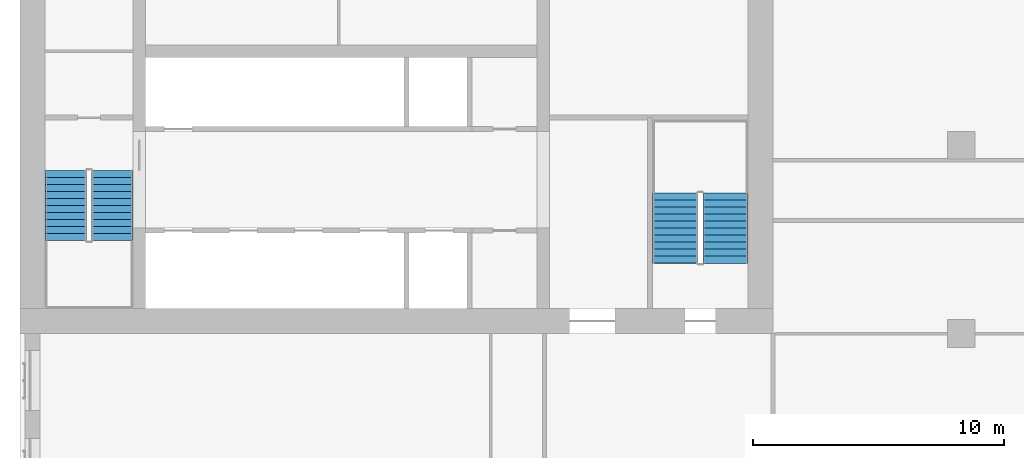
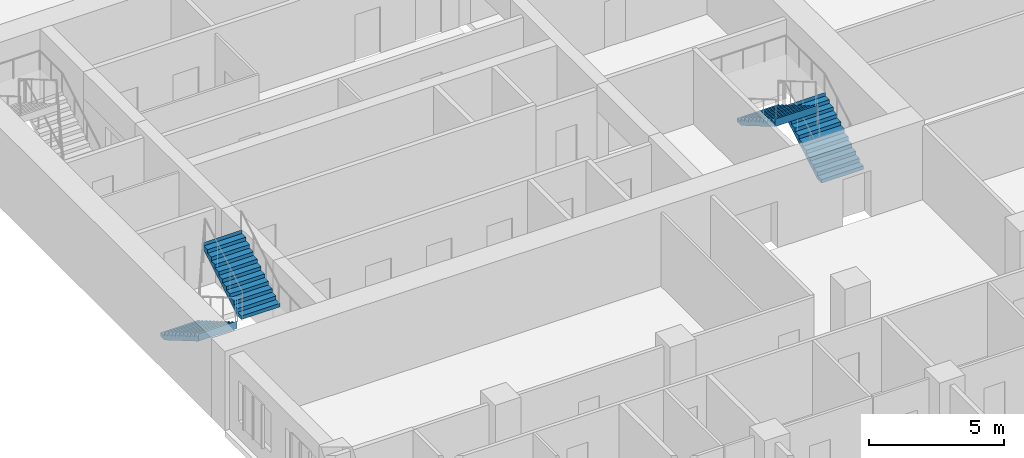
# One storey, part 12 of 14: 4 stair flights, 2 elements without a shape of their own.
"""IFC4 building model written with IfcOpenShell, lengths in metres."""

from ifc_helpers import new_model, si_unit, direction, frame, origin, place, context, subcontext, project, spatial, polyline, outline, extrude, material, type_object, element, aggregate, save


model = new_model("IFC4")

# Units and contexts
model_context = context("Model", 3, precision=1e-05, world=origin(), true_north=direction((0.0, 1.0)))
body_context = subcontext(model_context, "Body", "Model", "MODEL_VIEW")
ifc_project = project(units=[si_unit("LENGTHUNIT", "METRE"), si_unit("AREAUNIT", "SQUARE_METRE"), si_unit("VOLUMEUNIT", "CUBIC_METRE"), si_unit("PLANEANGLEUNIT", "RADIAN"), si_unit("MASSUNIT", "GRAM", prefix="KILO")], contexts=[model_context])

# Site, building, storey
site_placement = place(None, origin())
site = spatial("IfcSite", under=ifc_project, at=site_placement, CompositionType="ELEMENT")
building_placement = place(site_placement, origin())
building = spatial("IfcBuilding", under=site, at=building_placement, Name="Tamorin Gate", CompositionType="ELEMENT")
storey_placement = place(building_placement, frame((0.0, 0.0, 86.300048828125)))
storey = spatial("IfcBuildingStorey", under=building, at=storey_placement, Name="L20", CompositionType="ELEMENT", Elevation=86.300048828125)

# Stair, stair flights
ifc_material = material(Name="Concrete C40/50", Category="concrete")
stair_type = type_object("IfcStairType", Name="Exit stair", PredefinedType="HALF_TURN_STAIR", material=ifc_material)
stair_1_placement = place(storey_placement, origin())
stair_1 = element("IfcStair", 1, at=stair_1_placement, inside=storey, type_object=stair_type, Name="L20 stair ST1", PredefinedType="HALF_TURN_STAIR")
stair_flight_type = type_object("IfcStairFlightType", Name="Exit stair flight", PredefinedType="STRAIGHT", material=ifc_material)
stair_flight_1_placement = place(storey_placement, frame((31.824951171875, 66.5, 0.0), z_axis=(0.0, 0.0, 1.0), x_axis=(0.0, -1.0, 0.0)))
stair_flight_1 = element("IfcStairFlight", 2, at=stair_flight_1_placement, type_object=stair_flight_type, Name="ST1 flight 1", NumberOfRisers=11, NumberOfTreads=10, PredefinedType="STRAIGHT", RiserHeight=0.163636364, TreadLength=0.28, context=body_context, shape_type="SweptSolid", body=[
    extrude(outline(polyline([(-0.00048828125, 0.0), (-0.00048828125, 0.001708984375), (-0.00048828125, 0.003173828125), (-0.00048828125, 0.0048828125), (-0.00048828125, 0.006591796875), (-0.00048828125, 0.008056640625), (-0.00048828125, 0.009765625), (-0.00048828125, 0.01123046875), (-0.00048828125, 0.012939453125), (-0.00048828125, 0.0146484375), (-0.00048828125, 0.01611328125), (-0.00048828125, 0.017822265625), (-0.00048828125, 0.01953125), (-0.00048828125, 0.02099609375), (-0.00048828125, 0.022705078125), (-0.00048828125, 0.0244140625), (-0.00048828125, 0.02587890625), (-0.00048828125, 0.027587890625), (-0.00048828125, 0.029052734375), (-0.00048828125, 0.03076171875), (-0.00048828125, 0.032470703125), (-0.00048828125, 0.033935546875), (-0.00048828125, 0.03564453125), (-0.00048828125, 0.037353515625), (-0.00048828125, 0.038818359375), (-0.00048828125, 0.04052734375), (-0.00048828125, 0.042236328125), (-0.00048828125, 0.043701171875), (-0.00048828125, 0.04541015625), (-0.00048828125, 0.046875), (-0.00048828125, 0.048583984375), (-0.00048828125, 0.05029296875), (-0.00048828125, 0.0517578125), (-0.00048828125, 0.053466796875), (-0.00048828125, 0.05517578125), (-0.00048828125, 0.056640625), (-0.00048828125, 0.058349609375), (-0.00048828125, 0.06005859375), (-0.00048828125, 0.0615234375), (-0.00048828125, 0.063232421875), (-0.00048828125, 0.064697265625), (-0.00048828125, 0.06640625), (-0.00048828125, 0.068115234375), (-0.00048828125, 0.069580078125), (-0.00048828125, 0.0712890625), (-0.00048828125, 0.072998046875), (-0.00048828125, 0.074462890625), (-0.00048828125, 0.076171875), (-0.00048828125, 0.077880859375), (-0.00048828125, 0.079345703125), (-0.00048828125, 0.0810546875), (-0.00048828125, 0.08251953125), (-0.00048828125, 0.084228515625), (-0.00048828125, 0.0859375), (-0.00048828125, 0.08740234375), (-0.00048828125, 0.089111328125), (-0.00048828125, 0.0908203125), (-0.00048828125, 0.09228515625), (-0.00048828125, 0.093994140625), (-0.00048828125, 0.095703125), (-0.00048828125, 0.09716796875), (-0.00048828125, 0.098876953125), (-0.00048828125, 0.100341796875), (-0.00048828125, 0.10205078125), (-0.00048828125, 0.103759765625), (-0.00048828125, 0.105224609375), (-0.00048828125, 0.10693359375), (-0.00048828125, 0.108642578125), (-0.00048828125, 0.110107421875), (-0.00048828125, 0.11181640625), (-0.00048828125, 0.113525390625), (-0.00048828125, 0.114990234375), (-0.00048828125, 0.11669921875), (-0.00048828125, 0.1181640625), (-0.00048828125, 0.119873046875), (-0.00048828125, 0.12158203125), (-0.00048828125, 0.123046875), (-0.00048828125, 0.124755859375), (-0.00048828125, 0.12646484375), (-0.00048828125, 0.1279296875), (-0.00048828125, 0.129638671875), (-0.00048828125, 0.13134765625), (-0.00048828125, 0.1328125), (-0.00048828125, 0.134521484375), (-0.00048828125, 0.135986328125), (-0.00048828125, 0.1376953125), (-0.00048828125, 0.139404296875), (-0.00048828125, 0.140869140625), (-0.00048828125, 0.142578125), (-0.00048828125, 0.144287109375), (-0.00048828125, 0.145751953125), (-0.00048828125, 0.1474609375), (-0.00048828125, 0.149169921875), (-0.00048828125, 0.150634765625), (-0.00048828125, 0.15234375), (-0.00048828125, 0.15380859375), (-0.00048828125, 0.155517578125), (-0.00048828125, 0.1572265625), (-0.00048828125, 0.15869140625), (-0.00048828125, 0.160400390625), (-0.00048828125, 0.162109375), (-0.00048828125, 0.16357421875), (0.280029296875, 0.16357421875), (0.280029296875, 0.327392578125), (0.56005859375, 0.327392578125), (0.56005859375, 0.490966796875), (0.840087890625, 0.490966796875), (0.840087890625, 0.654541015625), (1.1201171875, 0.654541015625), (1.1201171875, 0.818115234375), (1.39990234375, 0.818115234375), (1.39990234375, 0.98193359375), (1.679931640625, 0.98193359375), (1.679931640625, 1.1455078125), (1.9599609375, 1.1455078125), (1.9599609375, 1.30908203125), (2.239990234375, 1.30908203125), (2.239990234375, 1.47265625), (2.52001953125, 1.47265625), (2.52001953125, 1.636474609375), (2.800048828125, 1.636474609375), (2.800048828125, 1.800048828125), (2.800537109375, 1.800048828125), (2.800537109375, 1.796630859375), (2.800537109375, 1.793212890625), (2.800537109375, 1.7900390625), (2.800537109375, 1.78662109375), (2.800537109375, 1.783203125), (2.800537109375, 1.780029296875), (2.800537109375, 1.776611328125), (2.800537109375, 1.773193359375), (2.800537109375, 1.77001953125), (2.800537109375, 1.7666015625), (2.800537109375, 1.76318359375), (2.800537109375, 1.760009765625), (2.800537109375, 1.756591796875), (2.800537109375, 1.753173828125), (2.800537109375, 1.75), (2.800537109375, 1.74658203125), (2.800537109375, 1.7431640625), (2.800537109375, 1.739990234375), (2.800537109375, 1.736572265625), (2.800537109375, 1.733154296875), (2.800537109375, 1.72998046875), (2.800537109375, 1.7265625), (2.800537109375, 1.72314453125), (2.800537109375, 1.719970703125), (2.800537109375, 1.716552734375), (2.800537109375, 1.713134765625), (2.800537109375, 1.7099609375), (2.800537109375, 1.70654296875), (2.800537109375, 1.703125), (2.800537109375, 1.69970703125), (2.800537109375, 1.696533203125), (2.800537109375, 1.693115234375), (2.800537109375, 1.689697265625), (2.800537109375, 1.6865234375), (2.800537109375, 1.68310546875), (2.800537109375, 1.6796875), (2.800537109375, 1.676513671875), (2.800537109375, 1.673095703125), (2.800537109375, 1.669677734375), (2.800537109375, 1.66650390625), (2.800537109375, 1.6630859375), (2.800537109375, 1.65966796875), (2.800537109375, 1.656494140625), (2.800537109375, 1.653076171875), (2.800537109375, 1.649658203125), (2.800537109375, 1.646484375), (2.800537109375, 1.64306640625), (2.800537109375, 1.6396484375), (2.800537109375, 1.636474609375), (2.800537109375, 1.633056640625), (2.800537109375, 1.629638671875), (2.800537109375, 1.62646484375), (2.800537109375, 1.623046875), (2.800537109375, 1.61962890625), (2.800537109375, 1.616455078125), (2.800537109375, 1.613037109375), (2.800537109375, 1.609619140625), (2.800537109375, 1.6064453125), (2.800537109375, 1.60302734375), (2.800537109375, 1.599609375), (2.800537109375, 1.59619140625), (2.800537109375, 1.593017578125), (2.800537109375, 1.589599609375), (2.800537109375, 1.586181640625), (2.800537109375, 1.5830078125), (2.800537109375, 1.57958984375), (2.800537109375, 1.576171875), (2.800537109375, 1.572998046875), (2.800537109375, 1.569580078125), (2.800537109375, 1.566162109375), (2.800537109375, 1.56298828125), (2.800537109375, 1.5595703125), (2.800537109375, 1.55615234375), (2.800537109375, 1.552978515625), (2.800537109375, 1.549560546875), (2.800537109375, 1.546142578125), (2.800537109375, 1.54296875), (2.800537109375, 1.53955078125), (2.800537109375, 1.5361328125), (2.800537109375, 1.532958984375), (2.800537109375, 1.529541015625), (2.800537109375, 1.526123046875), (2.800537109375, 1.52294921875), (2.800537109375, 1.51953125), (2.800537109375, 1.51611328125), (2.800537109375, 1.512939453125), (2.800537109375, 1.509521484375), (2.800537109375, 1.506103515625), (2.800537109375, 1.5029296875), (2.800537109375, 1.49951171875), (2.800537109375, 1.49609375), (2.800537109375, 1.49267578125), (2.800537109375, 1.489501953125), (2.800537109375, 1.486083984375), (2.800537109375, 1.482666015625), (2.800537109375, 1.4794921875), (2.800537109375, 1.47607421875), (2.800537109375, 1.47265625), (2.800537109375, 1.469482421875), (2.800537109375, 1.466064453125), (2.800537109375, 1.462646484375), (2.800048828125, 1.462646484375), (0.297119140625, 0.0), (-0.00048828125, 0.0)])), frame((0.0, 0.824951171875, 0.0), z_axis=(0.0, -1.0, 0.0), x_axis=(1.0, 0.0, 0.0)), (0.0, 0.0, 1.0), 1.64990234375),
])
stair_flight_2_placement = place(storey_placement, frame((33.675048828125, 63.699951171875, 1.800048828125), z_axis=(0.0, 0.0, 1.0), x_axis=(0.0, 1.0, 0.0)))
stair_flight_2 = element("IfcStairFlight", 3, at=stair_flight_2_placement, type_object=stair_flight_type, Name="ST1 flight 2", NumberOfRisers=11, NumberOfTreads=10, PredefinedType="STRAIGHT", RiserHeight=0.163636364, TreadLength=0.28, context=body_context, shape_type="SweptSolid", body=[
    extrude(outline(polyline([(-0.00048828125, 0.0), (-0.00048828125, 0.001708984375), (-0.00048828125, 0.003173828125), (-0.00048828125, 0.0048828125), (-0.00048828125, 0.006591796875), (-0.00048828125, 0.008056640625), (-0.00048828125, 0.009765625), (-0.00048828125, 0.01123046875), (-0.00048828125, 0.012939453125), (-0.00048828125, 0.0146484375), (-0.00048828125, 0.01611328125), (-0.00048828125, 0.017822265625), (-0.00048828125, 0.01953125), (-0.00048828125, 0.02099609375), (-0.00048828125, 0.022705078125), (-0.00048828125, 0.0244140625), (-0.00048828125, 0.02587890625), (-0.00048828125, 0.027587890625), (-0.00048828125, 0.029052734375), (-0.00048828125, 0.03076171875), (-0.00048828125, 0.032470703125), (-0.00048828125, 0.033935546875), (-0.00048828125, 0.03564453125), (-0.00048828125, 0.037353515625), (-0.00048828125, 0.038818359375), (-0.00048828125, 0.04052734375), (-0.00048828125, 0.042236328125), (-0.00048828125, 0.043701171875), (-0.00048828125, 0.04541015625), (-0.00048828125, 0.046875), (-0.00048828125, 0.048583984375), (-0.00048828125, 0.05029296875), (-0.00048828125, 0.0517578125), (-0.00048828125, 0.053466796875), (-0.00048828125, 0.05517578125), (-0.00048828125, 0.056640625), (-0.00048828125, 0.058349609375), (-0.00048828125, 0.06005859375), (-0.00048828125, 0.0615234375), (-0.00048828125, 0.063232421875), (-0.00048828125, 0.064697265625), (-0.00048828125, 0.06640625), (-0.00048828125, 0.068115234375), (-0.00048828125, 0.069580078125), (-0.00048828125, 0.0712890625), (-0.00048828125, 0.072998046875), (-0.00048828125, 0.074462890625), (-0.00048828125, 0.076171875), (-0.00048828125, 0.077880859375), (-0.00048828125, 0.079345703125), (-0.00048828125, 0.0810546875), (-0.00048828125, 0.08251953125), (-0.00048828125, 0.084228515625), (-0.00048828125, 0.0859375), (-0.00048828125, 0.08740234375), (-0.00048828125, 0.089111328125), (-0.00048828125, 0.0908203125), (-0.00048828125, 0.09228515625), (-0.00048828125, 0.093994140625), (-0.00048828125, 0.095703125), (-0.00048828125, 0.09716796875), (-0.00048828125, 0.098876953125), (-0.00048828125, 0.100341796875), (-0.00048828125, 0.10205078125), (-0.00048828125, 0.103759765625), (-0.00048828125, 0.105224609375), (-0.00048828125, 0.10693359375), (-0.00048828125, 0.108642578125), (-0.00048828125, 0.110107421875), (-0.00048828125, 0.11181640625), (-0.00048828125, 0.113525390625), (-0.00048828125, 0.114990234375), (-0.00048828125, 0.11669921875), (-0.00048828125, 0.1181640625), (-0.00048828125, 0.119873046875), (-0.00048828125, 0.12158203125), (-0.00048828125, 0.123046875), (-0.00048828125, 0.124755859375), (-0.00048828125, 0.12646484375), (-0.00048828125, 0.1279296875), (-0.00048828125, 0.129638671875), (-0.00048828125, 0.13134765625), (-0.00048828125, 0.1328125), (-0.00048828125, 0.134521484375), (-0.00048828125, 0.135986328125), (-0.00048828125, 0.1376953125), (-0.00048828125, 0.139404296875), (-0.00048828125, 0.140869140625), (-0.00048828125, 0.142578125), (-0.00048828125, 0.144287109375), (-0.00048828125, 0.145751953125), (-0.00048828125, 0.1474609375), (-0.00048828125, 0.149169921875), (-0.00048828125, 0.150634765625), (-0.00048828125, 0.15234375), (-0.00048828125, 0.15380859375), (-0.00048828125, 0.155517578125), (-0.00048828125, 0.1572265625), (-0.00048828125, 0.15869140625), (-0.00048828125, 0.160400390625), (-0.00048828125, 0.162109375), (-0.00048828125, 0.16357421875), (0.280029296875, 0.16357421875), (0.280029296875, 0.327392578125), (0.56005859375, 0.327392578125), (0.56005859375, 0.490966796875), (0.840087890625, 0.490966796875), (0.840087890625, 0.654541015625), (1.1201171875, 0.654541015625), (1.1201171875, 0.818115234375), (1.39990234375, 0.818115234375), (1.39990234375, 0.98193359375), (1.679931640625, 0.98193359375), (1.679931640625, 1.1455078125), (1.9599609375, 1.1455078125), (1.9599609375, 1.30908203125), (2.239990234375, 1.30908203125), (2.239990234375, 1.47265625), (2.52001953125, 1.47265625), (2.52001953125, 1.636474609375), (2.800048828125, 1.636474609375), (2.800048828125, 1.800048828125), (2.800537109375, 1.800048828125), (2.800537109375, 1.796630859375), (2.800537109375, 1.793212890625), (2.800537109375, 1.7900390625), (2.800537109375, 1.78662109375), (2.800537109375, 1.783203125), (2.800537109375, 1.780029296875), (2.800537109375, 1.776611328125), (2.800537109375, 1.773193359375), (2.800537109375, 1.77001953125), (2.800537109375, 1.7666015625), (2.800537109375, 1.76318359375), (2.800537109375, 1.760009765625), (2.800537109375, 1.756591796875), (2.800537109375, 1.753173828125), (2.800537109375, 1.75), (2.800537109375, 1.74658203125), (2.800537109375, 1.7431640625), (2.800537109375, 1.739990234375), (2.800537109375, 1.736572265625), (2.800537109375, 1.733154296875), (2.800537109375, 1.72998046875), (2.800537109375, 1.7265625), (2.800537109375, 1.72314453125), (2.800537109375, 1.719970703125), (2.800537109375, 1.716552734375), (2.800537109375, 1.713134765625), (2.800537109375, 1.7099609375), (2.800537109375, 1.70654296875), (2.800537109375, 1.703125), (2.800537109375, 1.69970703125), (2.800537109375, 1.696533203125), (2.800537109375, 1.693115234375), (2.800537109375, 1.689697265625), (2.800537109375, 1.6865234375), (2.800537109375, 1.68310546875), (2.800537109375, 1.6796875), (2.800537109375, 1.676513671875), (2.800537109375, 1.673095703125), (2.800537109375, 1.669677734375), (2.800537109375, 1.66650390625), (2.800537109375, 1.6630859375), (2.800537109375, 1.65966796875), (2.800537109375, 1.656494140625), (2.800537109375, 1.653076171875), (2.800537109375, 1.649658203125), (2.800537109375, 1.646484375), (2.800537109375, 1.64306640625), (2.800537109375, 1.6396484375), (2.800537109375, 1.636474609375), (2.800537109375, 1.633056640625), (2.800537109375, 1.629638671875), (2.800537109375, 1.62646484375), (2.800537109375, 1.623046875), (2.800537109375, 1.61962890625), (2.800537109375, 1.616455078125), (2.800537109375, 1.613037109375), (2.800537109375, 1.609619140625), (2.800537109375, 1.6064453125), (2.800537109375, 1.60302734375), (2.800537109375, 1.599609375), (2.800537109375, 1.59619140625), (2.800537109375, 1.593017578125), (2.800537109375, 1.589599609375), (2.800537109375, 1.586181640625), (2.800537109375, 1.5830078125), (2.800537109375, 1.57958984375), (2.800537109375, 1.576171875), (2.800537109375, 1.572998046875), (2.800537109375, 1.569580078125), (2.800537109375, 1.566162109375), (2.800537109375, 1.56298828125), (2.800537109375, 1.5595703125), (2.800537109375, 1.55615234375), (2.800537109375, 1.552978515625), (2.800537109375, 1.549560546875), (2.800537109375, 1.546142578125), (2.800537109375, 1.54296875), (2.800537109375, 1.53955078125), (2.800537109375, 1.5361328125), (2.800537109375, 1.532958984375), (2.800537109375, 1.529541015625), (2.800537109375, 1.526123046875), (2.800537109375, 1.52294921875), (2.800537109375, 1.51953125), (2.800537109375, 1.51611328125), (2.800537109375, 1.512939453125), (2.800537109375, 1.509521484375), (2.800537109375, 1.506103515625), (2.800537109375, 1.5029296875), (2.800537109375, 1.49951171875), (2.800537109375, 1.49609375), (2.800537109375, 1.49267578125), (2.800537109375, 1.489501953125), (2.800537109375, 1.486083984375), (2.800537109375, 1.482666015625), (2.800537109375, 1.4794921875), (2.800537109375, 1.47607421875), (2.800537109375, 1.47265625), (2.800537109375, 1.469482421875), (2.800537109375, 1.466064453125), (2.800537109375, 1.462646484375), (2.800048828125, 1.462646484375), (0.297119140625, 0.0), (-0.00048828125, 0.0)])), frame((0.0, 0.824951171875, 0.0), z_axis=(0.0, -1.0, 0.0), x_axis=(1.0, 0.0, 0.0)), (0.0, 0.0, 1.0), 1.64990234375),
])
aggregate(stair_1, [stair_flight_1, stair_flight_2])

stair_2_placement = place(storey_placement, origin())
stair_2 = element("IfcStair", 4, at=stair_2_placement, inside=storey, type_object=stair_type, Name="L20 stair ST3", PredefinedType="HALF_TURN_STAIR")
stair_flight_3_placement = place(storey_placement, frame((58.10009765625, 62.800048828125, 0.0), z_axis=(0.0, 0.0, 1.0), x_axis=(0.0, 1.0, 0.0)))
stair_flight_3 = element("IfcStairFlight", 5, at=stair_flight_3_placement, type_object=stair_flight_type, Name="ST3 flight 1", NumberOfRisers=11, NumberOfTreads=10, PredefinedType="STRAIGHT", RiserHeight=0.163636364, TreadLength=0.28, context=body_context, shape_type="SweptSolid", body=[
    extrude(outline(polyline([(-0.00048828125, 0.0), (-0.00048828125, 0.001708984375), (-0.00048828125, 0.003173828125), (-0.00048828125, 0.0048828125), (-0.00048828125, 0.006591796875), (-0.00048828125, 0.008056640625), (-0.00048828125, 0.009765625), (-0.00048828125, 0.01123046875), (-0.00048828125, 0.012939453125), (-0.00048828125, 0.0146484375), (-0.00048828125, 0.01611328125), (-0.00048828125, 0.017822265625), (-0.00048828125, 0.01953125), (-0.00048828125, 0.02099609375), (-0.00048828125, 0.022705078125), (-0.00048828125, 0.0244140625), (-0.00048828125, 0.02587890625), (-0.00048828125, 0.027587890625), (-0.00048828125, 0.029052734375), (-0.00048828125, 0.03076171875), (-0.00048828125, 0.032470703125), (-0.00048828125, 0.033935546875), (-0.00048828125, 0.03564453125), (-0.00048828125, 0.037353515625), (-0.00048828125, 0.038818359375), (-0.00048828125, 0.04052734375), (-0.00048828125, 0.042236328125), (-0.00048828125, 0.043701171875), (-0.00048828125, 0.04541015625), (-0.00048828125, 0.046875), (-0.00048828125, 0.048583984375), (-0.00048828125, 0.05029296875), (-0.00048828125, 0.0517578125), (-0.00048828125, 0.053466796875), (-0.00048828125, 0.05517578125), (-0.00048828125, 0.056640625), (-0.00048828125, 0.058349609375), (-0.00048828125, 0.06005859375), (-0.00048828125, 0.0615234375), (-0.00048828125, 0.063232421875), (-0.00048828125, 0.064697265625), (-0.00048828125, 0.06640625), (-0.00048828125, 0.068115234375), (-0.00048828125, 0.069580078125), (-0.00048828125, 0.0712890625), (-0.00048828125, 0.072998046875), (-0.00048828125, 0.074462890625), (-0.00048828125, 0.076171875), (-0.00048828125, 0.077880859375), (-0.00048828125, 0.079345703125), (-0.00048828125, 0.0810546875), (-0.00048828125, 0.08251953125), (-0.00048828125, 0.084228515625), (-0.00048828125, 0.0859375), (-0.00048828125, 0.08740234375), (-0.00048828125, 0.089111328125), (-0.00048828125, 0.0908203125), (-0.00048828125, 0.09228515625), (-0.00048828125, 0.093994140625), (-0.00048828125, 0.095703125), (-0.00048828125, 0.09716796875), (-0.00048828125, 0.098876953125), (-0.00048828125, 0.100341796875), (-0.00048828125, 0.10205078125), (-0.00048828125, 0.103759765625), (-0.00048828125, 0.105224609375), (-0.00048828125, 0.10693359375), (-0.00048828125, 0.108642578125), (-0.00048828125, 0.110107421875), (-0.00048828125, 0.11181640625), (-0.00048828125, 0.113525390625), (-0.00048828125, 0.114990234375), (-0.00048828125, 0.11669921875), (-0.00048828125, 0.1181640625), (-0.00048828125, 0.119873046875), (-0.00048828125, 0.12158203125), (-0.00048828125, 0.123046875), (-0.00048828125, 0.124755859375), (-0.00048828125, 0.12646484375), (-0.00048828125, 0.1279296875), (-0.00048828125, 0.129638671875), (-0.00048828125, 0.13134765625), (-0.00048828125, 0.1328125), (-0.00048828125, 0.134521484375), (-0.00048828125, 0.135986328125), (-0.00048828125, 0.1376953125), (-0.00048828125, 0.139404296875), (-0.00048828125, 0.140869140625), (-0.00048828125, 0.142578125), (-0.00048828125, 0.144287109375), (-0.00048828125, 0.145751953125), (-0.00048828125, 0.1474609375), (-0.00048828125, 0.149169921875), (-0.00048828125, 0.150634765625), (-0.00048828125, 0.15234375), (-0.00048828125, 0.15380859375), (-0.00048828125, 0.155517578125), (-0.00048828125, 0.1572265625), (-0.00048828125, 0.15869140625), (-0.00048828125, 0.160400390625), (-0.00048828125, 0.162109375), (-0.00048828125, 0.16357421875), (0.280029296875, 0.16357421875), (0.280029296875, 0.327392578125), (0.56005859375, 0.327392578125), (0.56005859375, 0.490966796875), (0.840087890625, 0.490966796875), (0.840087890625, 0.654541015625), (1.1201171875, 0.654541015625), (1.1201171875, 0.818115234375), (1.39990234375, 0.818115234375), (1.39990234375, 0.98193359375), (1.679931640625, 0.98193359375), (1.679931640625, 1.1455078125), (1.9599609375, 1.1455078125), (1.9599609375, 1.30908203125), (2.239990234375, 1.30908203125), (2.239990234375, 1.47265625), (2.52001953125, 1.47265625), (2.52001953125, 1.636474609375), (2.800048828125, 1.636474609375), (2.800048828125, 1.800048828125), (2.800537109375, 1.800048828125), (2.800537109375, 1.796630859375), (2.800537109375, 1.793212890625), (2.800537109375, 1.7900390625), (2.800537109375, 1.78662109375), (2.800537109375, 1.783203125), (2.800537109375, 1.780029296875), (2.800537109375, 1.776611328125), (2.800537109375, 1.773193359375), (2.800537109375, 1.77001953125), (2.800537109375, 1.7666015625), (2.800537109375, 1.76318359375), (2.800537109375, 1.760009765625), (2.800537109375, 1.756591796875), (2.800537109375, 1.753173828125), (2.800537109375, 1.75), (2.800537109375, 1.74658203125), (2.800537109375, 1.7431640625), (2.800537109375, 1.739990234375), (2.800537109375, 1.736572265625), (2.800537109375, 1.733154296875), (2.800537109375, 1.72998046875), (2.800537109375, 1.7265625), (2.800537109375, 1.72314453125), (2.800537109375, 1.719970703125), (2.800537109375, 1.716552734375), (2.800537109375, 1.713134765625), (2.800537109375, 1.7099609375), (2.800537109375, 1.70654296875), (2.800537109375, 1.703125), (2.800537109375, 1.69970703125), (2.800537109375, 1.696533203125), (2.800537109375, 1.693115234375), (2.800537109375, 1.689697265625), (2.800537109375, 1.6865234375), (2.800537109375, 1.68310546875), (2.800537109375, 1.6796875), (2.800537109375, 1.676513671875), (2.800537109375, 1.673095703125), (2.800537109375, 1.669677734375), (2.800537109375, 1.66650390625), (2.800537109375, 1.6630859375), (2.800537109375, 1.65966796875), (2.800537109375, 1.656494140625), (2.800537109375, 1.653076171875), (2.800537109375, 1.649658203125), (2.800537109375, 1.646484375), (2.800537109375, 1.64306640625), (2.800537109375, 1.6396484375), (2.800537109375, 1.636474609375), (2.800537109375, 1.633056640625), (2.800537109375, 1.629638671875), (2.800537109375, 1.62646484375), (2.800537109375, 1.623046875), (2.800537109375, 1.61962890625), (2.800537109375, 1.616455078125), (2.800537109375, 1.613037109375), (2.800537109375, 1.609619140625), (2.800537109375, 1.6064453125), (2.800537109375, 1.60302734375), (2.800537109375, 1.599609375), (2.800537109375, 1.59619140625), (2.800537109375, 1.593017578125), (2.800537109375, 1.589599609375), (2.800537109375, 1.586181640625), (2.800537109375, 1.5830078125), (2.800537109375, 1.57958984375), (2.800537109375, 1.576171875), (2.800537109375, 1.572998046875), (2.800537109375, 1.569580078125), (2.800537109375, 1.566162109375), (2.800537109375, 1.56298828125), (2.800537109375, 1.5595703125), (2.800537109375, 1.55615234375), (2.800537109375, 1.552978515625), (2.800537109375, 1.549560546875), (2.800537109375, 1.546142578125), (2.800537109375, 1.54296875), (2.800537109375, 1.53955078125), (2.800537109375, 1.5361328125), (2.800537109375, 1.532958984375), (2.800537109375, 1.529541015625), (2.800537109375, 1.526123046875), (2.800537109375, 1.52294921875), (2.800537109375, 1.51953125), (2.800537109375, 1.51611328125), (2.800537109375, 1.512939453125), (2.800537109375, 1.509521484375), (2.800537109375, 1.506103515625), (2.800537109375, 1.5029296875), (2.800537109375, 1.49951171875), (2.800537109375, 1.49609375), (2.800537109375, 1.49267578125), (2.800537109375, 1.489501953125), (2.800537109375, 1.486083984375), (2.800537109375, 1.482666015625), (2.800537109375, 1.4794921875), (2.800537109375, 1.47607421875), (2.800537109375, 1.47265625), (2.800537109375, 1.469482421875), (2.800537109375, 1.466064453125), (2.800537109375, 1.462646484375), (2.800048828125, 1.462646484375), (0.297119140625, 0.0), (-0.00048828125, 0.0)])), frame((0.0, 0.89990234375, 0.0), z_axis=(0.0, -1.0, 0.0), x_axis=(1.0, 0.0, 0.0)), (0.0, 0.0, 1.0), 1.800048828125),
])
stair_flight_4_placement = place(storey_placement, frame((56.10009765625, 65.60009765625, 1.800048828125), z_axis=(0.0, 0.0, 1.0), x_axis=(0.0, -1.0, 0.0)))
stair_flight_4 = element("IfcStairFlight", 6, at=stair_flight_4_placement, type_object=stair_flight_type, Name="ST3 flight 2", NumberOfRisers=11, NumberOfTreads=10, PredefinedType="STRAIGHT", RiserHeight=0.163636364, TreadLength=0.28, context=body_context, shape_type="SweptSolid", body=[
    extrude(outline(polyline([(-0.00048828125, 0.0), (-0.00048828125, 0.001708984375), (-0.00048828125, 0.003173828125), (-0.00048828125, 0.0048828125), (-0.00048828125, 0.006591796875), (-0.00048828125, 0.008056640625), (-0.00048828125, 0.009765625), (-0.00048828125, 0.01123046875), (-0.00048828125, 0.012939453125), (-0.00048828125, 0.0146484375), (-0.00048828125, 0.01611328125), (-0.00048828125, 0.017822265625), (-0.00048828125, 0.01953125), (-0.00048828125, 0.02099609375), (-0.00048828125, 0.022705078125), (-0.00048828125, 0.0244140625), (-0.00048828125, 0.02587890625), (-0.00048828125, 0.027587890625), (-0.00048828125, 0.029052734375), (-0.00048828125, 0.03076171875), (-0.00048828125, 0.032470703125), (-0.00048828125, 0.033935546875), (-0.00048828125, 0.03564453125), (-0.00048828125, 0.037353515625), (-0.00048828125, 0.038818359375), (-0.00048828125, 0.04052734375), (-0.00048828125, 0.042236328125), (-0.00048828125, 0.043701171875), (-0.00048828125, 0.04541015625), (-0.00048828125, 0.046875), (-0.00048828125, 0.048583984375), (-0.00048828125, 0.05029296875), (-0.00048828125, 0.0517578125), (-0.00048828125, 0.053466796875), (-0.00048828125, 0.05517578125), (-0.00048828125, 0.056640625), (-0.00048828125, 0.058349609375), (-0.00048828125, 0.06005859375), (-0.00048828125, 0.0615234375), (-0.00048828125, 0.063232421875), (-0.00048828125, 0.064697265625), (-0.00048828125, 0.06640625), (-0.00048828125, 0.068115234375), (-0.00048828125, 0.069580078125), (-0.00048828125, 0.0712890625), (-0.00048828125, 0.072998046875), (-0.00048828125, 0.074462890625), (-0.00048828125, 0.076171875), (-0.00048828125, 0.077880859375), (-0.00048828125, 0.079345703125), (-0.00048828125, 0.0810546875), (-0.00048828125, 0.08251953125), (-0.00048828125, 0.084228515625), (-0.00048828125, 0.0859375), (-0.00048828125, 0.08740234375), (-0.00048828125, 0.089111328125), (-0.00048828125, 0.0908203125), (-0.00048828125, 0.09228515625), (-0.00048828125, 0.093994140625), (-0.00048828125, 0.095703125), (-0.00048828125, 0.09716796875), (-0.00048828125, 0.098876953125), (-0.00048828125, 0.100341796875), (-0.00048828125, 0.10205078125), (-0.00048828125, 0.103759765625), (-0.00048828125, 0.105224609375), (-0.00048828125, 0.10693359375), (-0.00048828125, 0.108642578125), (-0.00048828125, 0.110107421875), (-0.00048828125, 0.11181640625), (-0.00048828125, 0.113525390625), (-0.00048828125, 0.114990234375), (-0.00048828125, 0.11669921875), (-0.00048828125, 0.1181640625), (-0.00048828125, 0.119873046875), (-0.00048828125, 0.12158203125), (-0.00048828125, 0.123046875), (-0.00048828125, 0.124755859375), (-0.00048828125, 0.12646484375), (-0.00048828125, 0.1279296875), (-0.00048828125, 0.129638671875), (-0.00048828125, 0.13134765625), (-0.00048828125, 0.1328125), (-0.00048828125, 0.134521484375), (-0.00048828125, 0.135986328125), (-0.00048828125, 0.1376953125), (-0.00048828125, 0.139404296875), (-0.00048828125, 0.140869140625), (-0.00048828125, 0.142578125), (-0.00048828125, 0.144287109375), (-0.00048828125, 0.145751953125), (-0.00048828125, 0.1474609375), (-0.00048828125, 0.149169921875), (-0.00048828125, 0.150634765625), (-0.00048828125, 0.15234375), (-0.00048828125, 0.15380859375), (-0.00048828125, 0.155517578125), (-0.00048828125, 0.1572265625), (-0.00048828125, 0.15869140625), (-0.00048828125, 0.160400390625), (-0.00048828125, 0.162109375), (-0.00048828125, 0.16357421875), (0.280029296875, 0.16357421875), (0.280029296875, 0.327392578125), (0.56005859375, 0.327392578125), (0.56005859375, 0.490966796875), (0.840087890625, 0.490966796875), (0.840087890625, 0.654541015625), (1.1201171875, 0.654541015625), (1.1201171875, 0.818115234375), (1.39990234375, 0.818115234375), (1.39990234375, 0.98193359375), (1.679931640625, 0.98193359375), (1.679931640625, 1.1455078125), (1.9599609375, 1.1455078125), (1.9599609375, 1.30908203125), (2.239990234375, 1.30908203125), (2.239990234375, 1.47265625), (2.52001953125, 1.47265625), (2.52001953125, 1.636474609375), (2.800048828125, 1.636474609375), (2.800048828125, 1.800048828125), (2.800537109375, 1.800048828125), (2.800537109375, 1.796630859375), (2.800537109375, 1.793212890625), (2.800537109375, 1.7900390625), (2.800537109375, 1.78662109375), (2.800537109375, 1.783203125), (2.800537109375, 1.780029296875), (2.800537109375, 1.776611328125), (2.800537109375, 1.773193359375), (2.800537109375, 1.77001953125), (2.800537109375, 1.7666015625), (2.800537109375, 1.76318359375), (2.800537109375, 1.760009765625), (2.800537109375, 1.756591796875), (2.800537109375, 1.753173828125), (2.800537109375, 1.75), (2.800537109375, 1.74658203125), (2.800537109375, 1.7431640625), (2.800537109375, 1.739990234375), (2.800537109375, 1.736572265625), (2.800537109375, 1.733154296875), (2.800537109375, 1.72998046875), (2.800537109375, 1.7265625), (2.800537109375, 1.72314453125), (2.800537109375, 1.719970703125), (2.800537109375, 1.716552734375), (2.800537109375, 1.713134765625), (2.800537109375, 1.7099609375), (2.800537109375, 1.70654296875), (2.800537109375, 1.703125), (2.800537109375, 1.69970703125), (2.800537109375, 1.696533203125), (2.800537109375, 1.693115234375), (2.800537109375, 1.689697265625), (2.800537109375, 1.6865234375), (2.800537109375, 1.68310546875), (2.800537109375, 1.6796875), (2.800537109375, 1.676513671875), (2.800537109375, 1.673095703125), (2.800537109375, 1.669677734375), (2.800537109375, 1.66650390625), (2.800537109375, 1.6630859375), (2.800537109375, 1.65966796875), (2.800537109375, 1.656494140625), (2.800537109375, 1.653076171875), (2.800537109375, 1.649658203125), (2.800537109375, 1.646484375), (2.800537109375, 1.64306640625), (2.800537109375, 1.6396484375), (2.800537109375, 1.636474609375), (2.800537109375, 1.633056640625), (2.800537109375, 1.629638671875), (2.800537109375, 1.62646484375), (2.800537109375, 1.623046875), (2.800537109375, 1.61962890625), (2.800537109375, 1.616455078125), (2.800537109375, 1.613037109375), (2.800537109375, 1.609619140625), (2.800537109375, 1.6064453125), (2.800537109375, 1.60302734375), (2.800537109375, 1.599609375), (2.800537109375, 1.59619140625), (2.800537109375, 1.593017578125), (2.800537109375, 1.589599609375), (2.800537109375, 1.586181640625), (2.800537109375, 1.5830078125), (2.800537109375, 1.57958984375), (2.800537109375, 1.576171875), (2.800537109375, 1.572998046875), (2.800537109375, 1.569580078125), (2.800537109375, 1.566162109375), (2.800537109375, 1.56298828125), (2.800537109375, 1.5595703125), (2.800537109375, 1.55615234375), (2.800537109375, 1.552978515625), (2.800537109375, 1.549560546875), (2.800537109375, 1.546142578125), (2.800537109375, 1.54296875), (2.800537109375, 1.53955078125), (2.800537109375, 1.5361328125), (2.800537109375, 1.532958984375), (2.800537109375, 1.529541015625), (2.800537109375, 1.526123046875), (2.800537109375, 1.52294921875), (2.800537109375, 1.51953125), (2.800537109375, 1.51611328125), (2.800537109375, 1.512939453125), (2.800537109375, 1.509521484375), (2.800537109375, 1.506103515625), (2.800537109375, 1.5029296875), (2.800537109375, 1.49951171875), (2.800537109375, 1.49609375), (2.800537109375, 1.49267578125), (2.800537109375, 1.489501953125), (2.800537109375, 1.486083984375), (2.800537109375, 1.482666015625), (2.800537109375, 1.4794921875), (2.800537109375, 1.47607421875), (2.800537109375, 1.47265625), (2.800537109375, 1.469482421875), (2.800537109375, 1.466064453125), (2.800537109375, 1.462646484375), (2.800048828125, 1.462646484375), (0.297119140625, 0.0), (-0.00048828125, 0.0)])), frame((0.0, 0.89990234375, 0.0), z_axis=(0.0, -1.0, 0.0), x_axis=(1.0, 0.0, 0.0)), (0.0, 0.0, 1.0), 1.800048828125),
])
aggregate(stair_2, [stair_flight_3, stair_flight_4])

save(model, "model.ifc")
